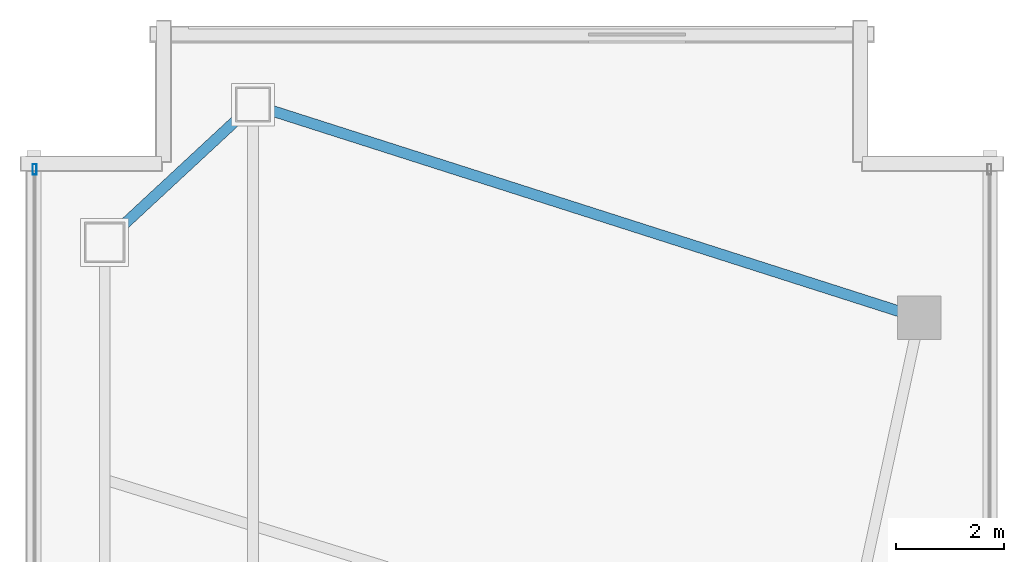
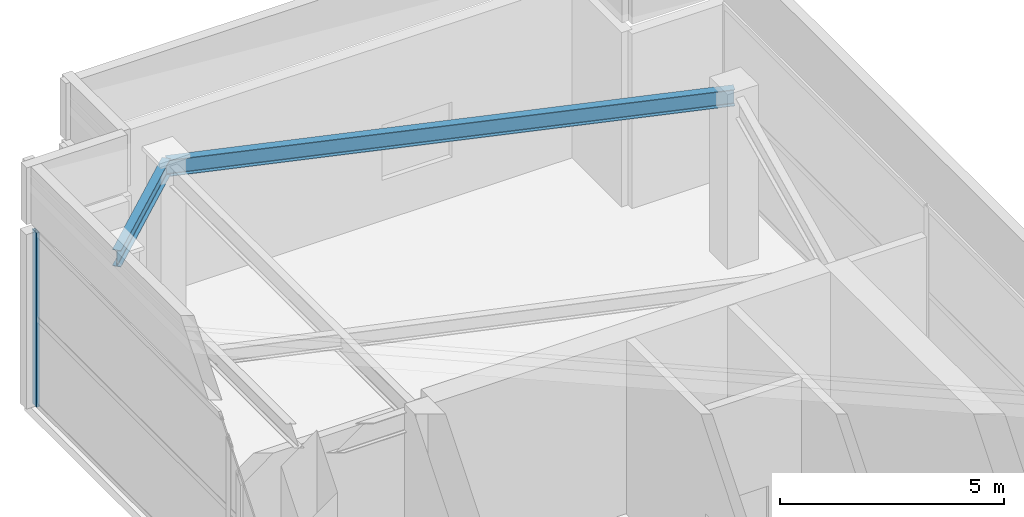
# One storey, part 15 of 20: 2 beams, 1 member, 1 element without a shape of its own.
"""IFC4 building model written with IfcOpenShell, lengths in metres."""

import ifcopenshell
import ifcopenshell.guid

model = None  # the IFC model being written
_history = None  # IfcOwnerHistory: only IFC2X3 demands one
_inside = {}  # id of a spatial element -> (the spatial element, [elements in it])
_under = {}  # id of a project, library or spatial element -> (it, [spatial elements below it])
_declared = {}  # id of a project -> (the project, [libraries it declares])
_typed = {}  # id of a type object -> (the type object, [elements of that type])
_made_of = {}  # id of a material, layer set ... -> (it, [elements and type objects made of it])


def new_model(schema):
    """Start an empty IFC model of exactly this schema.

    Asked for "IFC4X3", IfcOpenShell would pick the latest addendum, in which some entities
    have other attributes; the version numbers below select the first issue.
    IFC2X3 requires an IfcOwnerHistory on every rooted entity: one is made here for all.
    """
    global model, _history
    if schema == "IFC4X3":
        model = ifcopenshell.file(schema_version=(4, 3, 0, 0))
    else:
        model = ifcopenshell.file(schema=schema)
    _inside.clear()
    _under.clear()
    _declared.clear()
    _typed.clear()
    _made_of.clear()
    _history = None
    if model.schema == "IFC2X3":
        org = make("IfcOrganization", Name="unknown")
        user = make(
            "IfcPersonAndOrganization",
            ThePerson=make("IfcPerson", FamilyName="unknown"),
            TheOrganization=org,
        )
        app = make(
            "IfcApplication",
            ApplicationDeveloper=org,
            Version="unknown",
            ApplicationFullName="unknown",
            ApplicationIdentifier="unknown",
        )
        _history = make(
            "IfcOwnerHistory",
            OwningUser=user,
            OwningApplication=app,
            ChangeAction="ADDED",
            CreationDate=0,
        )
    return model


def make(cls, **values):
    """One entity of the class cls with the attributes given. An attribute that is None is left unset."""
    return model.create_entity(
        cls, **{name: value for name, value in values.items() if value is not None}
    )


def rooted(cls, **values):
    """An entity with a GlobalId (a new one), such as an element, a storey or a relation."""
    return make(cls, GlobalId=ifcopenshell.guid.new(), OwnerHistory=_history, **values)


def si_unit(unit_type, name, prefix=None):
    """IfcSIUnit, for example si_unit("LENGTHUNIT", "METRE", prefix="MILLI")."""
    return make("IfcSIUnit", UnitType=unit_type, Prefix=prefix, Name=name)


def assignment(units):
    """IfcUnitAssignment: the units of a project."""
    return None if units is None else make("IfcUnitAssignment", Units=units)


def point(xyz):
    """IfcCartesianPoint."""
    return None if xyz is None else make("IfcCartesianPoint", Coordinates=xyz)


def direction(xyz):
    """IfcDirection."""
    return None if xyz is None else make("IfcDirection", DirectionRatios=xyz)


def frame(location, z_axis=None, x_axis=None):
    """IfcAxis2Placement3D, a coordinate frame: its origin and axes. An axis left out is left unset."""
    return make(
        "IfcAxis2Placement3D",
        Location=point(location),
        Axis=direction(z_axis),
        RefDirection=direction(x_axis),
    )


def frame_2d(location, x_axis=None):
    """IfcAxis2Placement2D, a coordinate frame in the plane: its origin and x axis."""
    return make(
        "IfcAxis2Placement2D", Location=point(location), RefDirection=direction(x_axis)
    )


def origin():
    """The frame at (0, 0, 0) with its axes left unset."""
    return frame((0.0, 0.0, 0.0))


def origin_2d():
    """The frame at (0, 0) in the plane with its x axis left unset."""
    return frame_2d((0.0, 0.0))


def place(relative_to, where):
    """IfcLocalPlacement: puts the frame where relative to a parent placement (None: the world)."""
    return make(
        "IfcLocalPlacement", PlacementRelTo=relative_to, RelativePlacement=where
    )


def context(
    kind, dimensions, precision=None, world=None, true_north=None, identifier=None
):
    """IfcGeometricRepresentationContext, for example the 3D "Model" context."""
    return make(
        "IfcGeometricRepresentationContext",
        ContextIdentifier=identifier,
        ContextType=kind,
        CoordinateSpaceDimension=dimensions,
        Precision=precision,
        WorldCoordinateSystem=world,
        TrueNorth=true_north,
    )


def subcontext(parent, identifier, kind, view, scale=None):
    """IfcGeometricRepresentationSubContext, for example "Body" below "Model"."""
    return make(
        "IfcGeometricRepresentationSubContext",
        ContextIdentifier=identifier,
        ContextType=kind,
        ParentContext=parent,
        TargetScale=scale,
        TargetView=view,
    )


def project(units=None, contexts=None):
    """IfcProject with its units and contexts."""
    return rooted(
        "IfcProject",
        Name="project",
        RepresentationContexts=contexts,
        UnitsInContext=assignment(units),
    )


def spatial(cls, under=None, at=None, **own):
    """A site, building, storey or space (cls), placed at a placement, below another one or the project."""
    s = rooted(cls, ObjectPlacement=at, **own)
    if under is not None:
        _under.setdefault(under.id(), (under, []))[1].append(s)
    return s


def profile(cls, at=None, kind="AREA", **sizes):
    """A parametric profile (cls). Its sizes go by their IFC names, for example OverallWidth=200.0."""
    return make(cls, ProfileType=kind, Position=at, **sizes)


def hollow_rectangle(**sizes):
    """IfcRectangleHollowProfileDef."""
    return profile("IfcRectangleHollowProfileDef", **sizes)


def i_section(**sizes):
    """IfcIShapeProfileDef."""
    return profile("IfcIShapeProfileDef", **sizes)


def extrude(swept, where, along, depth):
    """IfcExtrudedAreaSolid: the profile swept, set in the frame where, extruded along a direction by depth."""
    return make(
        "IfcExtrudedAreaSolid",
        SweptArea=swept,
        Position=where,
        ExtrudedDirection=direction(along),
        Depth=depth,
    )


def shape(context_of_items, identifier, shape_type, items):
    """IfcShapeRepresentation: the items that make up one representation, for example the "Body"."""
    return make(
        "IfcShapeRepresentation",
        ContextOfItems=context_of_items,
        RepresentationIdentifier=identifier,
        RepresentationType=shape_type,
        Items=items,
    )


def material(Name=None, Category=None):
    """IfcMaterial."""
    return make("IfcMaterial", Name=Name, Category=Category)


def layer(
    of_material, thickness, ventilated=None, Name=None, Category=None, Priority=None
):
    """IfcMaterialLayer: one layer of a wall or slab, of a material (None: an air gap)."""
    return make(
        "IfcMaterialLayer",
        Material=of_material,
        LayerThickness=thickness,
        IsVentilated=ventilated,
        Name=Name,
        Category=Category,
        Priority=Priority,
    )


def layer_set(layers, Name=None):
    """IfcMaterialLayerSet."""
    return make("IfcMaterialLayerSet", MaterialLayers=layers, LayerSetName=Name)


def material_profile(
    of_material, cross_section, Name=None, Category=None, Priority=None
):
    """IfcMaterialProfile: a cross section and its material."""
    return make(
        "IfcMaterialProfile",
        Name=Name,
        Material=of_material,
        Profile=cross_section,
        Priority=Priority,
        Category=Category,
    )


def profile_set(profiles, Name=None, composite=None):
    """IfcMaterialProfileSet."""
    return make(
        "IfcMaterialProfileSet",
        Name=Name,
        MaterialProfiles=profiles,
        CompositeProfile=composite,
    )


def made_of(thing, what):
    """Note that an element or type object is made of a material, layer set ...; save() writes the relation."""
    if what is not None:
        _made_of.setdefault(what.id(), (what, []))[1].append(thing)
    return thing


def type_object(cls, material=None, **own):
    """A type object (cls), such as IfcWallType, which elements share."""
    return made_of(rooted(cls, **own), material)


def element(
    cls,
    number,
    at=None,
    inside=None,
    cuts=None,
    type_object=None,
    material=None,
    context=None,
    identifier="Body",
    shape_type=None,
    held_by="IfcProductDefinitionShape",
    body=None,
    shapes=None,
    **own,
):
    """One element of the class cls, such as IfcWall. Its Tag is "e" and its number.

    at: its placement. inside: the storey or other place that contains it. cuts: it is an
    opening in that element (IfcRelVoidsElement). A single representation is given by context,
    identifier, shape_type and body (its items); several are given by shapes. held_by: the class
    of the entity that holds the representations. save() writes the other relations.
    """
    e = rooted(cls, Tag="e%d" % number, ObjectPlacement=at, **own)
    if body is not None:
        shapes = [shape(context, identifier, shape_type, body)]
    if shapes is not None:
        e.Representation = make(held_by, Representations=shapes)
    if inside is not None:
        _inside.setdefault(inside.id(), (inside, []))[1].append(e)
    if cuts is not None:
        rooted(
            "IfcRelVoidsElement", RelatingBuildingElement=cuts, RelatedOpeningElement=e
        )
    if type_object is not None:
        _typed.setdefault(type_object.id(), (type_object, []))[1].append(e)
    return made_of(e, material)


def aggregate(whole, parts):
    """IfcRelAggregates: a whole, such as a stair, and the parts it consists of."""
    return rooted("IfcRelAggregates", RelatingObject=whole, RelatedObjects=parts)


def save(model, path):
    """Write the relations noted so far, then the file.

    IfcRelAggregates (storeys below a building ...), IfcRelContainedInSpatialStructure (elements
    in a storey), IfcRelDefinesByType, IfcRelAssociatesMaterial and IfcRelDeclares: one each for
    every whole, place, type object, material and project.
    """
    for whole, parts in _under.values():
        aggregate(whole, parts)
    for where, things in _inside.values():
        rooted(
            "IfcRelContainedInSpatialStructure",
            RelatedElements=things,
            RelatingStructure=where,
        )
    for kind, things in _typed.values():
        rooted("IfcRelDefinesByType", RelatedObjects=things, RelatingType=kind)
    for what, things in _made_of.values():
        rooted("IfcRelAssociatesMaterial", RelatedObjects=things, RelatingMaterial=what)
    for by, libraries in _declared.values():
        rooted("IfcRelDeclares", RelatingContext=by, RelatedDefinitions=libraries)
    model.write(path)


model = new_model("IFC4")

# Units and contexts
model_context = context("Model", 3, precision=1e-05, world=origin(), true_north=direction((0.0, 1.0)))
body_context = subcontext(model_context, "Body", "Model", "MODEL_VIEW")
ifc_project = project(units=[si_unit("LENGTHUNIT", "METRE"), si_unit("AREAUNIT", "SQUARE_METRE"), si_unit("VOLUMEUNIT", "CUBIC_METRE"), si_unit("PLANEANGLEUNIT", "RADIAN"), si_unit("MASSUNIT", "GRAM", prefix="KILO")], contexts=[model_context])

# Site, building, storey
site_placement = place(None, origin())
site = spatial("IfcSite", under=ifc_project, at=site_placement, CompositionType="ELEMENT")
building_placement = place(site_placement, origin())
building = spatial("IfcBuilding", under=site, at=building_placement, Name="Calvorn Quay Hotel", CompositionType="ELEMENT")
storey_placement = place(building_placement, frame((0.0, 0.0, 345.5)))
storey = spatial("IfcBuildingStorey", under=building, at=storey_placement, Name="L84", CompositionType="ELEMENT", Elevation=345.5)

# Beams
ifc_material_1 = material(Name="Steel Q355B", Category="steel")
ifc_material_profile_1 = material_profile(ifc_material_1, i_section(OverallWidth=0.199951171875, OverallDepth=0.449951171875, WebThickness=0.009033203125, FlangeThickness=0.013916015625, FilletRadius=0.01611328125, at=origin_2d()), Name="HN450x200x9x14")
ifc_profile_set_1 = profile_set([ifc_material_profile_1], Name="Steel Q355B")
beam_type = type_object("IfcBeamType", Name="BM-SPANDREL-Z3", PredefinedType="SPANDREL", material=ifc_profile_set_1)
beam_1_placement = place(storey_placement, frame((1.449951171875, 47.0, 4.35498046875), z_axis=(0.733261665538, 0.679946563969, 0.0), x_axis=(-0.679946563969, 0.733261665538, 0.0)))
element("IfcBeam", 1, at=beam_1_placement, inside=storey, type_object=beam_type, Name="Beam BSP-L84-W5", PredefinedType="SPANDREL", context=body_context, shape_type="SweptSolid", body=[
    extrude(i_section(OverallWidth=0.199951171875, OverallDepth=0.449951171875, WebThickness=0.009033203125, FlangeThickness=0.013916015625, FilletRadius=0.01611328125, at=origin_2d()), origin(), (0.0, 0.0, 1.0), 3.75048828125),
])
beam_2_placement = place(storey_placement, frame((4.199951171875, 49.550048828125, 4.35498046875), z_axis=(0.952470702374, -0.304630203885, 0.0), x_axis=(0.304630203885, 0.952470702374, 0.0)))
element("IfcBeam", 2, at=beam_2_placement, inside=storey, type_object=beam_type, Name="Beam BSP-L84-W6", PredefinedType="SPANDREL", context=body_context, shape_type="SweptSolid", body=[
    extrude(i_section(OverallWidth=0.199951171875, OverallDepth=0.449951171875, WebThickness=0.009033203125, FlangeThickness=0.013916015625, FilletRadius=0.01611328125, at=origin_2d()), origin(), (0.0, 0.0, 1.0), 12.96630859375),
])

# Curtain wall, member
ifc_material_2 = material(Name="Pale Anodised Aluminium and Laminated Glass", Category="aluminium")
ifc_layer = layer(ifc_material_2, 0.219970703125)
ifc_layer_set = layer_set([ifc_layer], Name="CW-SYS-CRN")
curtain_wall_type = type_object("IfcCurtainWallType", Name="CW-SYS-CRN", PredefinedType="NOTDEFINED", material=ifc_layer_set)
curtain_wall_placement = place(storey_placement, origin())
curtain_wall = element("IfcCurtainWall", 3, at=curtain_wall_placement, inside=storey, type_object=curtain_wall_type, Name="Crown Curtain Wall L84-C3", PredefinedType="NOTDEFINED")
ifc_material_3 = material(Name="Pale Anodised Aluminium 6063-T6", Category="aluminium")
ifc_material_profile_2 = material_profile(ifc_material_3, hollow_rectangle(XDim=0.072021484375, YDim=0.195068359375, WallThickness=0.00390625, at=origin_2d()), Name="ALU-M195x72x4")
ifc_profile_set_2 = profile_set([ifc_material_profile_2], Name="Pale Anodised Aluminium 6063-T6")
member_type = type_object("IfcMemberType", Name="CW-SYS-CRN-MUL", PredefinedType="MULLION", material=ifc_profile_set_2)
member_placement = place(storey_placement, frame((0.14990234375, 48.35009765625, 0.0), z_axis=(0.0, 0.0, 1.0), x_axis=(1.0, 0.0, 0.0)))
member = element("IfcMember", 4, at=member_placement, type_object=member_type, Name="CW-L84-C3 mullion 1", PredefinedType="MULLION", context=body_context, shape_type="SweptSolid", body=[
    extrude(hollow_rectangle(XDim=0.072021484375, YDim=0.195068359375, WallThickness=0.00390625, at=origin_2d()), origin(), (0.0, 0.0, 1.0), 4.75),
])
aggregate(curtain_wall, [member])

save(model, "model.ifc")
